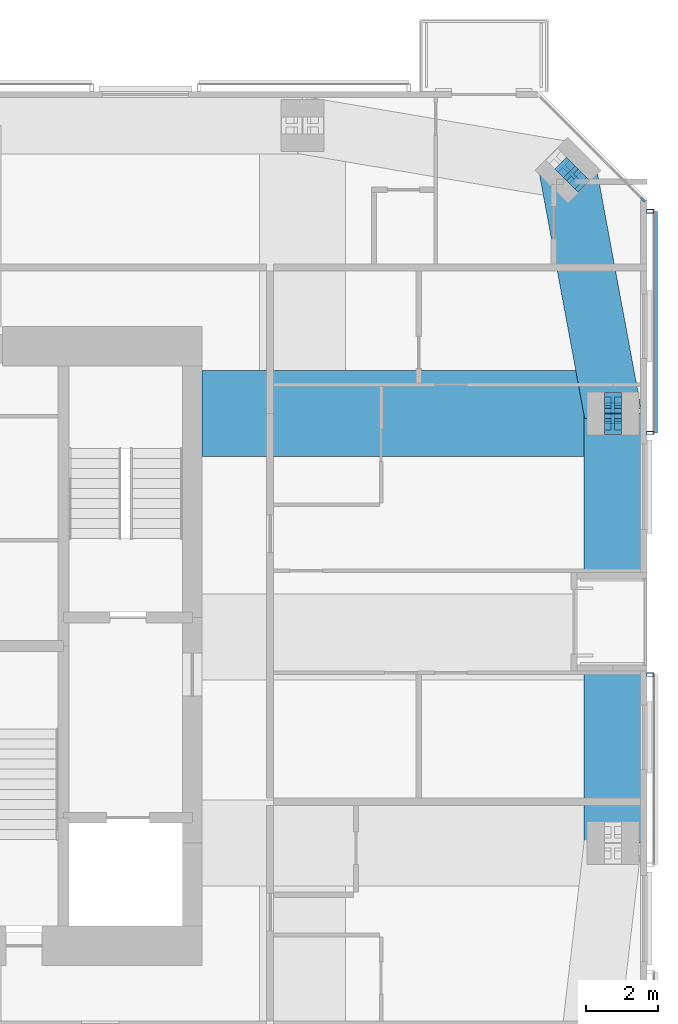
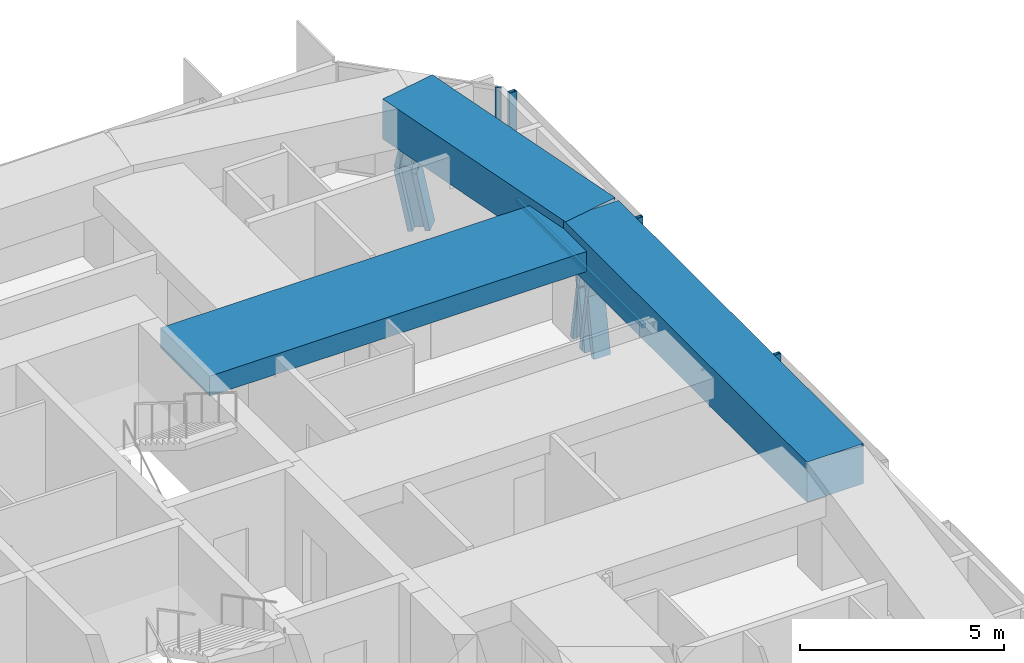
# One storey, part 9 of 20: 11 members, 3 beams, 3 elements without a shape of their own.
"""IFC4 building model written with IfcOpenShell, lengths in metres."""

from ifc_helpers import new_model, si_unit, direction, frame, origin, origin_2d, place, context, subcontext, project, spatial, rectangle, hollow_rectangle, i_section, extrude, material, material_profile, profile_set, type_object, element, aggregate, save


model = new_model("IFC4")

# Units and contexts
model_context = context("Model", 3, precision=1e-05, world=origin(), true_north=direction((0.0, 1.0)))
body_context = subcontext(model_context, "Body", "Model", "MODEL_VIEW")
ifc_project = project(units=[si_unit("LENGTHUNIT", "METRE"), si_unit("AREAUNIT", "SQUARE_METRE"), si_unit("VOLUMEUNIT", "CUBIC_METRE"), si_unit("PLANEANGLEUNIT", "RADIAN"), si_unit("MASSUNIT", "GRAM", prefix="KILO")], contexts=[model_context])

# Site, building, storey
site_placement = place(None, origin())
site = spatial("IfcSite", under=ifc_project, at=site_placement, CompositionType="ELEMENT")
building_placement = place(site_placement, origin())
building = spatial("IfcBuilding", under=site, at=building_placement, Name="Jalousie Tower", CompositionType="ELEMENT")
storey_placement = place(building_placement, frame((0.0, 0.0, 245.949951171875)))
storey = spatial("IfcBuildingStorey", under=building, at=storey_placement, Name="L67", CompositionType="ELEMENT", Elevation=245.949951171875)

# Curtain wall, member
ifc_material_1 = material(Name="Aluminium curtain wall", Category="aluminium")
curtain_wall_type_1 = type_object("IfcCurtainWallType", Name="CORNER WINDOW WALL", PredefinedType="USERDEFINED", material=ifc_material_1)
curtain_wall_1_placement = place(storey_placement, origin())
curtain_wall_1 = element("IfcCurtainWall", 1, at=curtain_wall_1_placement, inside=storey, type_object=curtain_wall_type_1, Name="Corner Window Wall L67 4", ObjectType="CORNER WINDOW WALL", PredefinedType="USERDEFINED")
ifc_material_2 = material(Name="Aluminium mullion", Category="aluminium")
ifc_material_profile_1 = material_profile(ifc_material_2, rectangle(XDim=0.06005859375, YDim=0.14990234375, at=origin_2d()), Name="MULLION 60x150")
ifc_profile_set_1 = profile_set([ifc_material_profile_1], Name="Aluminium mullion")
member_type_1 = type_object("IfcMemberType", Name="CORNER WINDOW WALL MULLION", PredefinedType="MULLION", material=ifc_profile_set_1)
member_1_placement = place(storey_placement, frame((56.391357421875, 30.969970703125, 0.0), z_axis=(0.0, 0.0, 1.0), x_axis=(-0.707106781187, -0.707106781187, 0.0)))
member_1 = element("IfcMember", 2, at=member_1_placement, type_object=member_type_1, Name="CW-C mullion 1", PredefinedType="MULLION", context=body_context, shape_type="SweptSolid", body=[
    extrude(rectangle(XDim=0.06005859375, YDim=0.14990234375, at=origin_2d()), origin(), (0.0, 0.0, 1.0), 3.260009765625),
])
aggregate(curtain_wall_1, [member_1])

# Members
ifc_material_3 = material(Name="Steel ASTM A992 Grade 50", Category="steel")
ifc_material_profile_2 = material_profile(ifc_material_3, i_section(OverallWidth=0.472412109375, OverallDepth=0.5791015625, WebThickness=0.094970703125, FlangeThickness=0.1298828125, at=origin_2d()), Name="W14X808")
ifc_profile_set_2 = profile_set([ifc_material_profile_2], Name="Steel ASTM A992 Grade 50")
member_type_2 = type_object("IfcMemberType", Name="PERIMETER BRACE W14X808", PredefinedType="BRACE", material=ifc_profile_set_2)
for number, where, z_axis, x_axis, name in (
    (3, (55.550048828125, 24.699951171875, -0.599853515625), (0.0, 0.168990530437, 0.98561767467), (-1.0, 0.0, 0.0), "Perimeter brace 07 L67 part 1"),
    (4, (55.550048828125, 25.0, 1.150146484375), (0.0, 0.168990530437, 0.98561767467), (-1.0, 0.0, 0.0), "Perimeter brace 07 L67 part 2"),
    (5, (55.550048828125, 25.300048828125, -0.599853515625), (0.0, -0.168990530437, 0.98561767467), (1.0, 0.0, 0.0), "Perimeter brace 07 L67 part 3"),
    (6, (55.550048828125, 25.0, 1.150146484375), (0.0, -0.168990530437, 0.98561767467), (1.0, 0.0, 0.0), "Perimeter brace 07 L67 part 4"),
):
    element("IfcMember", number, at=place(storey_placement, frame(where, z_axis=z_axis, x_axis=x_axis)), inside=storey, type_object=member_type_2, Name=name, PredefinedType="BRACE", context=body_context, shape_type="SweptSolid", body=[
        extrude(i_section(OverallWidth=0.472412109375, OverallDepth=0.5791015625, WebThickness=0.094970703125, FlangeThickness=0.1298828125, at=origin_2d()), origin(), (0.0, 0.0, 1.0), 1.775634765625),
    ])
for number, where, z_axis, x_axis, name in (
    (7, (54.540283203125, 31.54541015625, -0.599853515625), (-0.138579250682, 0.138716051522, 0.980588419435), (-0.707455539091, -0.706757851183, 0.0), "Perimeter brace 08 L67 part 1"),
    (8, (54.29296875, 31.79296875, 1.150146484375), (0.138579250682, -0.138716051522, 0.980588419435), (0.707455539091, 0.706757851183, 0.0), "Perimeter brace 08 L67 part 4"),
):
    element("IfcMember", number, at=place(storey_placement, frame(where, z_axis=z_axis, x_axis=x_axis)), inside=storey, type_object=member_type_2, Name=name, PredefinedType="BRACE", context=body_context, shape_type="SweptSolid", body=[
        extrude(i_section(OverallWidth=0.472412109375, OverallDepth=0.5791015625, WebThickness=0.094970703125, FlangeThickness=0.1298828125, at=origin_2d()), origin(), (0.0, 0.0, 1.0), 1.78466796875),
    ])

# Beams
ifc_material_4 = material(Name="Concrete f'c 40 MPa", Category="concrete")
ifc_material_profile_3 = material_profile(ifc_material_4, rectangle(XDim=1.60009765625, YDim=1.199951171875, at=origin_2d()), Name="RC 1600x1200")
ifc_profile_set_3 = profile_set([ifc_material_profile_3], Name="Concrete f'c 40 MPa")
beam_type_1 = type_object("IfcBeamType", Name="RC BEAM 1600x1200", PredefinedType="BEAM", material=ifc_profile_set_3)
beam_1_placement = place(storey_placement, frame((55.550048828125, 13.0, 2.900146484375), z_axis=(0.0, 1.0, 0.0), x_axis=(-1.0, 0.0, 0.0)))
element("IfcBeam", 9, at=beam_1_placement, inside=storey, type_object=beam_type_1, Name="Edge band beam 06-07 under L68", PredefinedType="BEAM", context=body_context, shape_type="SweptSolid", body=[
    extrude(rectangle(XDim=1.60009765625, YDim=1.199951171875, at=origin_2d()), origin(), (0.0, 0.0, 1.0), 12.0),
])
beam_2_placement = place(storey_placement, frame((55.550048828125, 25.0, 2.900146484375), z_axis=(-0.181966505593, 0.983304729391, 0.0), x_axis=(-0.983304729391, -0.181966505593, 0.0)))
element("IfcBeam", 10, at=beam_2_placement, inside=storey, type_object=beam_type_1, Name="Edge band beam 07-08 under L68", PredefinedType="BEAM", context=body_context, shape_type="SweptSolid", body=[
    extrude(rectangle(XDim=1.60009765625, YDim=1.199951171875, at=origin_2d()), origin(), (0.0, 0.0, 1.0), 6.908203125),
])
ifc_material_5 = material(Name="Concrete f'c 40 MPa", Category="concrete")
ifc_material_profile_4 = material_profile(ifc_material_5, rectangle(XDim=2.39990234375, YDim=0.60009765625, at=origin_2d()), Name="RC 2400x600")
ifc_profile_set_4 = profile_set([ifc_material_profile_4], Name="Concrete f'c 40 MPa")
beam_type_2 = type_object("IfcBeamType", Name="RC BEAM 2400x600", PredefinedType="BEAM", material=ifc_profile_set_4)
beam_3_placement = place(storey_placement, frame((55.550048828125, 25.0, 2.9599609375), z_axis=(-1.0, 0.0, 0.0), x_axis=(0.0, -1.0, 0.0)))
element("IfcBeam", 11, at=beam_3_placement, inside=storey, type_object=beam_type_2, Name="Floor band beam under L68", PredefinedType="BEAM", context=body_context, shape_type="SweptSolid", body=[
    extrude(rectangle(XDim=2.39990234375, YDim=0.60009765625, at=origin_2d()), origin(), (0.0, 0.0, 1.0), 11.47509765625),
])

# Curtain wall, member
ifc_material_6 = material(Name="Perforated aluminium sheet", Category="aluminium")
curtain_wall_type_2 = type_object("IfcCurtainWallType", Name="SOLAR SCREEN SS-2", PredefinedType="USERDEFINED", material=ifc_material_6)
curtain_wall_2_placement = place(storey_placement, origin())
curtain_wall_2 = element("IfcCurtainWall", 12, at=curtain_wall_2_placement, inside=storey, type_object=curtain_wall_type_2, Name="Solar screen L67", ObjectType="SOLAR SCREEN SS-2", PredefinedType="USERDEFINED")
ifc_material_7 = material(Name="Steel ASTM A500 Grade C", Category="steel")
ifc_material_profile_5 = material_profile(ifc_material_7, hollow_rectangle(XDim=0.1015625, YDim=0.203125, WallThickness=0.0078125, at=origin_2d()), Name="HSS8X4X5/16")
ifc_profile_set_5 = profile_set([ifc_material_profile_5], Name="Steel ASTM A500 Grade C")
member_type_3 = type_object("IfcMemberType", Name="SOLAR SCREEN SS-2 MULLION", PredefinedType="MULLION", material=ifc_profile_set_5)
member_2_placement = place(storey_placement, frame((56.5966796875, 17.699951171875, -0.119873046875), z_axis=(0.0, 0.0, 1.0), x_axis=(0.0, 1.0, 0.0)))
member_2 = element("IfcMember", 13, at=member_2_placement, type_object=member_type_3, Name="SS2 post 2", PredefinedType="MULLION", context=body_context, shape_type="SweptSolid", body=[
    extrude(hollow_rectangle(XDim=0.1015625, YDim=0.203125, WallThickness=0.0078125, at=origin_2d()), origin(), (0.0, 0.0, 1.0), 3.3798828125),
])
aggregate(curtain_wall_2, [member_2])

# Curtain wall, members
curtain_wall_3_placement = place(storey_placement, origin())
curtain_wall_3 = element("IfcCurtainWall", 14, at=curtain_wall_3_placement, inside=storey, type_object=curtain_wall_type_2, Name="Solar screen L67", ObjectType="SOLAR SCREEN SS-2", PredefinedType="USERDEFINED")
member_3_placement = place(storey_placement, frame((56.5966796875, 24.449951171875, -0.119873046875), z_axis=(0.0, 0.0, 1.0), x_axis=(0.0, 1.0, 0.0)))
member_3 = element("IfcMember", 15, at=member_3_placement, type_object=member_type_3, Name="SS2 post 1", PredefinedType="MULLION", context=body_context, shape_type="SweptSolid", body=[
    extrude(hollow_rectangle(XDim=0.1015625, YDim=0.203125, WallThickness=0.0078125, at=origin_2d()), origin(), (0.0, 0.0, 1.0), 3.3798828125),
])
member_4_placement = place(storey_placement, frame((56.5966796875, 30.648681640625, -0.119873046875), z_axis=(0.0, 0.0, 1.0), x_axis=(0.0, 1.0, 0.0)))
member_4 = element("IfcMember", 16, at=member_4_placement, type_object=member_type_3, Name="SS2 post 2", PredefinedType="MULLION", context=body_context, shape_type="SweptSolid", body=[
    extrude(hollow_rectangle(XDim=0.1015625, YDim=0.203125, WallThickness=0.0078125, at=origin_2d()), origin(), (0.0, 0.0, 1.0), 3.3798828125),
])
ifc_material_8 = material(Name="Extruded aluminium screen rail", Category="aluminium")
ifc_material_profile_6 = material_profile(ifc_material_8, rectangle(XDim=0.1015625, YDim=0.1201171875, at=origin_2d()), Name="RAIL 102x120")
ifc_profile_set_6 = profile_set([ifc_material_profile_6], Name="Extruded aluminium screen rail")
member_type_4 = type_object("IfcMemberType", Name="SOLAR SCREEN SS-2 TRANSOM", PredefinedType="USERDEFINED", material=ifc_profile_set_6)
member_5_placement = place(storey_placement, frame((56.7490234375, 24.449951171875, -0.06005859375), z_axis=(0.0, 1.0, 0.0), x_axis=(-1.0, 0.0, 0.0)))
member_5 = element("IfcMember", 17, at=member_5_placement, type_object=member_type_4, Name="SS2 rail", ObjectType="TRANSOM", PredefinedType="USERDEFINED", context=body_context, shape_type="SweptSolid", body=[
    extrude(rectangle(XDim=0.1015625, YDim=0.1201171875, at=origin_2d()), origin(), (0.0, 0.0, 1.0), 6.19873046875),
])
aggregate(curtain_wall_3, [member_3, member_4, member_5])

save(model, "model.ifc")
